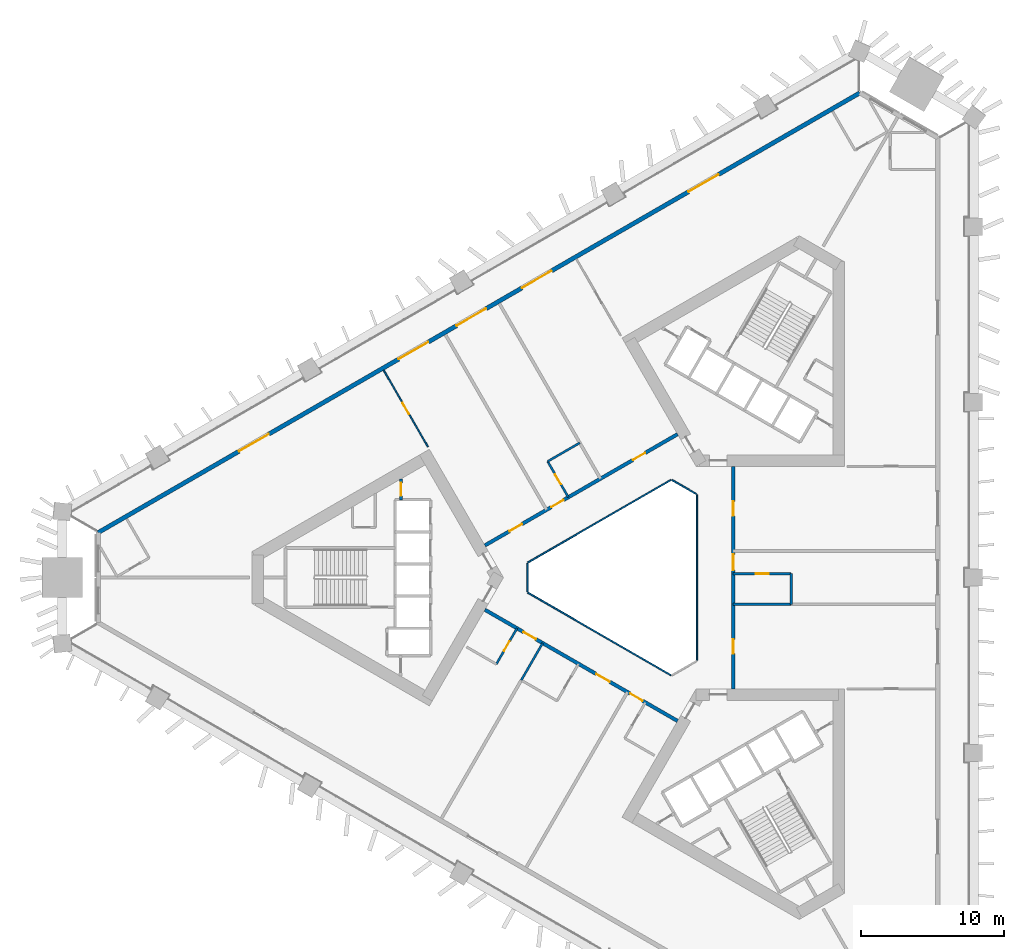
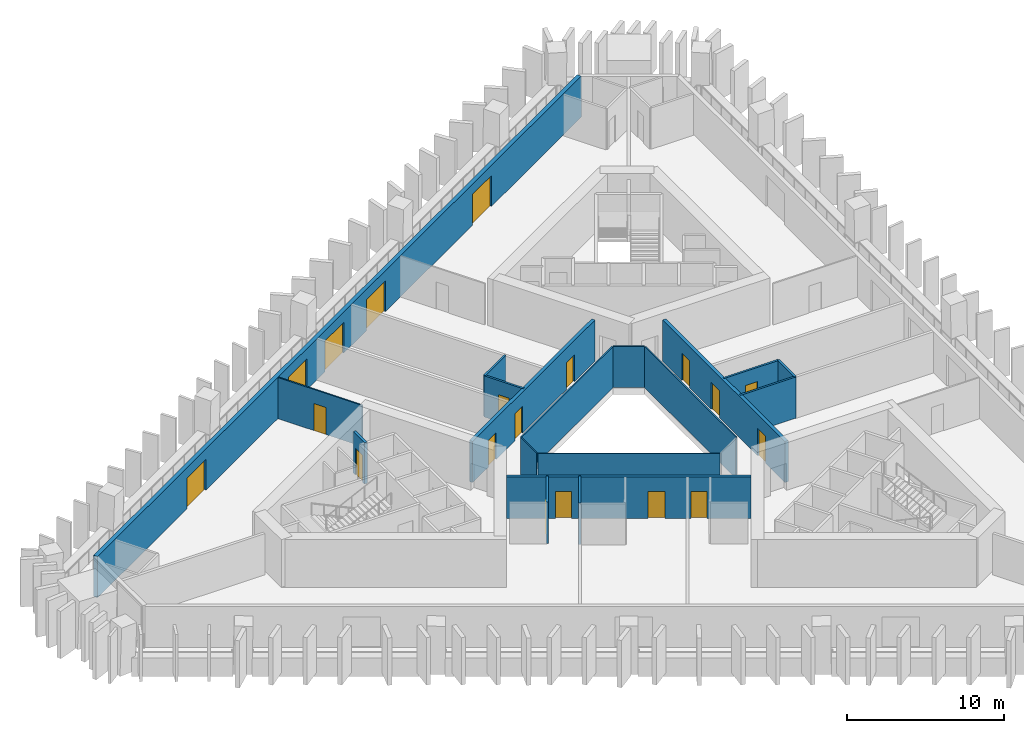
# One storey, part 4 of 10: 19 doors, 18 walls, 19 openings.
"""IFC4 building model written with IfcOpenShell, lengths in metres."""

from ifc_helpers import new_model, si_unit, direction, frame, frame_2d, origin, place, context, subcontext, project, spatial, rectangle, extrude, material, layer, layer_set, type_object, element, fill, save


model = new_model("IFC4")

# Units and contexts
model_context = context("Model", 3, precision=1e-05, world=origin(), true_north=direction((0.0, 1.0)))
body_context = subcontext(model_context, "Body", "Model", "MODEL_VIEW")
ifc_project = project(units=[si_unit("LENGTHUNIT", "METRE"), si_unit("AREAUNIT", "SQUARE_METRE"), si_unit("VOLUMEUNIT", "CUBIC_METRE"), si_unit("PLANEANGLEUNIT", "RADIAN"), si_unit("MASSUNIT", "GRAM", prefix="KILO")], contexts=[model_context])

# Site, building, storey
site_placement = place(None, origin())
site = spatial("IfcSite", under=ifc_project, at=site_placement, CompositionType="ELEMENT")
building_placement = place(site_placement, origin())
building = spatial("IfcBuilding", under=site, at=building_placement, Name="Jabali Bay Hotel Tower and Convention Centre", CompositionType="ELEMENT")
storey_placement = place(building_placement, frame((0.0, 0.0, 33.699951171875)))
storey = spatial("IfcBuildingStorey", under=building, at=storey_placement, Name="L06", CompositionType="ELEMENT", Elevation=33.699951171875)

# Walls
ifc_material_1 = material(Name="Fire-resistant glazing", Category="glass")
ifc_layer_1 = layer(ifc_material_1, 0.10009765625)
ifc_layer_set_1 = layer_set([ifc_layer_1], Name="Fire-resistant glazing")
wall_type_1 = type_object("IfcWallType", Name="Atrium glazed screen 100", PredefinedType="PARTITIONING", material=ifc_layer_set_1)
wall_1_placement = place(storey_placement, frame((79.56005859375, 74.205810546875, 0.0), z_axis=(0.0, 0.0, 1.0), x_axis=(0.0, 1.0, 0.0)))
element("IfcWall", 1, at=wall_1_placement, inside=storey, type_object=wall_type_1, Name="Atrium screen 1 L06", PredefinedType="PARTITIONING", context=body_context, shape_type="SweptSolid", body=[
    extrude(rectangle(XDim=11.58837890625, YDim=0.10009765625, at=frame_2d((5.794189453125, 0.0))), origin(), (0.0, 0.0, 1.0), 3.199951171875),
])
wall_2_placement = place(storey_placement, frame((79.530029296875, 85.84619140625, 0.0), z_axis=(0.0, 0.0, 1.0), x_axis=(-0.866041268327, 0.499972520799, 0.0)))
element("IfcWall", 2, at=wall_2_placement, inside=storey, type_object=wall_type_1, Name="Atrium screen 2 L06", PredefinedType="PARTITIONING", context=body_context, shape_type="SweptSolid", body=[
    extrude(rectangle(XDim=2.0, YDim=0.10009765625, at=frame_2d((1.0, 0.0))), origin(), (0.0, 0.0, 1.0), 3.199951171875),
])
wall_3_placement = place(storey_placement, frame((77.738037109375, 86.84619140625, 0.0), z_axis=(0.0, 0.0, 1.0), x_axis=(-0.866026658274, -0.499997827154, 0.0)))
element("IfcWall", 3, at=wall_3_placement, inside=storey, type_object=wall_type_1, Name="Atrium screen 3 L06", PredefinedType="PARTITIONING", context=body_context, shape_type="SweptSolid", body=[
    extrude(rectangle(XDim=11.58837890625, YDim=0.10009765625, at=frame_2d((5.794189453125, 0.0))), origin(), (0.0, 0.0, 1.0), 3.199951171875),
])
wall_4_placement = place(storey_placement, frame((67.672119140625, 81.0, 0.0), z_axis=(0.0, 0.0, 1.0), x_axis=(0.0, -1.0, 0.0)))
element("IfcWall", 4, at=wall_4_placement, inside=storey, type_object=wall_type_1, Name="Atrium screen 4 L06", PredefinedType="PARTITIONING", context=body_context, shape_type="SweptSolid", body=[
    extrude(rectangle(XDim=2.0, YDim=0.10009765625, at=frame_2d((1.0, 0.0))), origin(), (0.0, 0.0, 1.0), 3.199951171875),
])
wall_5_placement = place(storey_placement, frame((67.7021484375, 78.947998046875, 0.0), z_axis=(0.0, 0.0, 1.0), x_axis=(0.866026658274, -0.499997827154, 0.0)))
element("IfcWall", 5, at=wall_5_placement, inside=storey, type_object=wall_type_1, Name="Atrium screen 5 L06", PredefinedType="PARTITIONING", context=body_context, shape_type="SweptSolid", body=[
    extrude(rectangle(XDim=11.58837890625, YDim=0.10009765625, at=frame_2d((5.794189453125, 0.0))), origin(), (0.0, 0.0, 1.0), 3.199951171875),
])

# Wall, opening, door
ifc_material_2 = material(Name="Concrete C40", Category="concrete")
ifc_layer_2 = layer(ifc_material_2, 0.199951171875)
ifc_layer_set_2 = layer_set([ifc_layer_2], Name="Concrete C40")
wall_type_2 = type_object("IfcWallType", Name="Core partition wall 200", PredefinedType="PARTITIONING", material=ifc_layer_set_2)
wall_6_placement = place(storey_placement, frame((58.820068359375, 86.916748046875, 0.0), z_axis=(0.0, 0.0, 1.0), x_axis=(0.0, -1.0, 0.0)))
wall_6 = element("IfcWall", 6, at=wall_6_placement, inside=storey, type_object=wall_type_2, Name="Core wall 0.11 L06", PredefinedType="PARTITIONING", context=body_context, shape_type="SweptSolid", body=[
    extrude(rectangle(XDim=1.466796875, YDim=0.199951171875, at=frame_2d((0.7333984375, 0.0))), origin(), (0.0, 0.0, 1.0), 3.199951171875),
])
opening_1_placement = place(wall_6_placement, frame((0.283447265625, 0.0, 0.0)))
opening_1 = element("IfcOpeningElement", 7, at=opening_1_placement, cuts=wall_6, Name="Opening D219", PredefinedType="OPENING", context=body_context, shape_type="SweptSolid", body=[
    extrude(rectangle(XDim=0.89990234375, YDim=2.10009765625, at=frame_2d((0.449951171875, 1.050048828125))), frame((0.0, 0.1103515625, 0.0), z_axis=(0.0, -1.0, 0.0), x_axis=(1.0, 0.0, 0.0)), (0.0, 0.0, 1.0), 0.220947265625),
])
ifc_material_3 = material(Name="Fire-rated steel door", Category="steel")
door_type_1 = type_object("IfcDoorType", Name="Vestibule fire door 900 x 2100", OperationType="NOTDEFINED", PredefinedType="NOTDEFINED", material=ifc_material_3)
door_1_placement = place(opening_1_placement, origin())
door_1 = element("IfcDoor", 8, at=door_1_placement, inside=storey, type_object=door_type_1, Name="Vestibule fire door D219", OperationType="SINGLE_SWING_LEFT", OverallHeight=2.10009765625, OverallWidth=0.89990234375, PredefinedType="NOTDEFINED", context=body_context, shape_type="SweptSolid", body=[
    extrude(rectangle(XDim=0.89990234375, YDim=2.10009765625, at=frame_2d((0.449951171875, 1.050048828125))), frame((0.0, 0.02490234375, 0.0), z_axis=(0.0, -1.0, 0.0), x_axis=(1.0, 0.0, 0.0)), (0.0, 0.0, 1.0), 0.050048828125),
])
fill(opening_1, door_1)

# Wall, openings, doors
ifc_material_4 = material(Name="Concrete C60", Category="concrete")
ifc_layer_3 = layer(ifc_material_4, 0.25)
ifc_layer_set_3 = layer_set([ifc_layer_3], Name="Concrete C60")
wall_type_3 = type_object("IfcWallType", Name="Corridor wall 250", PredefinedType="SHEAR", material=ifc_layer_set_3)
wall_7_placement = place(storey_placement, frame((82.10009765625, 72.205810546875, 0.0), z_axis=(0.0, 0.0, 1.0), x_axis=(0.0, 1.0, 0.0)))
wall_7 = element("IfcWall", 9, at=wall_7_placement, inside=storey, type_object=wall_type_3, Name="Corridor wall 1 L06", PredefinedType="SHEAR", context=body_context, shape_type="SweptSolid", body=[
    extrude(rectangle(XDim=15.58837890625, YDim=0.25, at=frame_2d((7.794189453125, 0.0))), origin(), (0.0, 0.0, 1.0), 3.199951171875),
])
opening_2_placement = place(wall_7_placement, frame((2.4619140625, 0.0, 0.0)))
opening_2 = element("IfcOpeningElement", 10, at=opening_2_placement, cuts=wall_7, Name="Opening 0601", PredefinedType="OPENING", context=body_context, shape_type="SweptSolid", body=[
    extrude(rectangle(XDim=1.0, YDim=2.10009765625, at=frame_2d((0.5, 1.050048828125))), frame((0.0, 0.135498046875, 0.0), z_axis=(0.0, -1.0, 0.0), x_axis=(1.0, 0.0, 0.0)), (0.0, 0.0, 1.0), 0.27099609375),
])
opening_3_placement = place(wall_7_placement, frame((8.314697265625, 0.0, 0.0)))
opening_3 = element("IfcOpeningElement", 11, at=opening_3_placement, cuts=wall_7, Name="Opening 0605", PredefinedType="OPENING", context=body_context, shape_type="SweptSolid", body=[
    extrude(rectangle(XDim=1.10009765625, YDim=2.10009765625, at=frame_2d((0.550048828125, 1.050048828125))), frame((0.0, 0.135498046875, 0.0), z_axis=(0.0, -1.0, 0.0), x_axis=(1.0, 0.0, 0.0)), (0.0, 0.0, 1.0), 0.27099609375),
])
opening_4_placement = place(wall_7_placement, frame((12.126708984375, 0.0, 0.0)))
opening_4 = element("IfcOpeningElement", 12, at=opening_4_placement, cuts=wall_7, Name="Opening 0606", PredefinedType="OPENING", context=body_context, shape_type="SweptSolid", body=[
    extrude(rectangle(XDim=1.0, YDim=2.10009765625, at=frame_2d((0.5, 1.050048828125))), frame((0.0, 0.135498046875, 0.0), z_axis=(0.0, -1.0, 0.0), x_axis=(1.0, 0.0, 0.0)), (0.0, 0.0, 1.0), 0.27099609375),
])
ifc_material_5 = material(Name="Timber", Category="wood")
door_type_2 = type_object("IfcDoorType", Name="Accessible guest room door 1100 x 2100", OperationType="NOTDEFINED", PredefinedType="NOTDEFINED", material=ifc_material_5)
door_2_placement = place(opening_3_placement, origin())
door_2 = element("IfcDoor", 13, at=door_2_placement, inside=storey, type_object=door_type_2, Name="Door 0605", OperationType="SINGLE_SWING_RIGHT", OverallHeight=2.10009765625, OverallWidth=1.10009765625, PredefinedType="NOTDEFINED", context=body_context, shape_type="SweptSolid", body=[
    extrude(rectangle(XDim=1.10009765625, YDim=2.10009765625, at=frame_2d((0.550048828125, 1.050048828125))), frame((0.0, 0.02490234375, 0.0), z_axis=(0.0, -1.0, 0.0), x_axis=(1.0, 0.0, 0.0)), (0.0, 0.0, 1.0), 0.050048828125),
])
fill(opening_3, door_2)
door_type_3 = type_object("IfcDoorType", Name="Guest room door 1000 x 2100", OperationType="NOTDEFINED", PredefinedType="NOTDEFINED", material=ifc_material_5)
door_3_placement = place(opening_2_placement, origin())
door_3 = element("IfcDoor", 14, at=door_3_placement, inside=storey, type_object=door_type_3, Name="Door 0601", OperationType="SINGLE_SWING_LEFT", OverallHeight=2.10009765625, OverallWidth=1.0, PredefinedType="NOTDEFINED", context=body_context, shape_type="SweptSolid", body=[
    extrude(rectangle(XDim=1.0, YDim=2.10009765625, at=frame_2d((0.5, 1.050048828125))), frame((0.0, 0.02490234375, 0.0), z_axis=(0.0, -1.0, 0.0), x_axis=(1.0, 0.0, 0.0)), (0.0, 0.0, 1.0), 0.050048828125),
])
fill(opening_2, door_3)
door_4_placement = place(opening_4_placement, origin())
door_4 = element("IfcDoor", 15, at=door_4_placement, inside=storey, type_object=door_type_3, Name="Door 0606", OperationType="SINGLE_SWING_RIGHT", OverallHeight=2.10009765625, OverallWidth=1.0, PredefinedType="NOTDEFINED", context=body_context, shape_type="SweptSolid", body=[
    extrude(rectangle(XDim=1.0, YDim=2.10009765625, at=frame_2d((0.5, 1.050048828125))), frame((0.0, 0.02490234375, 0.0), z_axis=(0.0, -1.0, 0.0), x_axis=(1.0, 0.0, 0.0)), (0.0, 0.0, 1.0), 0.050048828125),
])
fill(opening_4, door_4)

wall_8_placement = place(storey_placement, frame((78.199951171875, 90.0458984375, 0.0), z_axis=(0.0, 0.0, 1.0), x_axis=(-0.866026492143, -0.499998114903, 0.0)))
wall_8 = element("IfcWall", 16, at=wall_8_placement, inside=storey, type_object=wall_type_3, Name="Corridor wall 2 L06", PredefinedType="SHEAR", context=body_context, shape_type="SweptSolid", body=[
    extrude(rectangle(XDim=15.58837890625, YDim=0.25, at=frame_2d((7.794189453125, 0.0))), origin(), (0.0, 0.0, 1.0), 3.199951171875),
])
opening_5_placement = place(wall_8_placement, frame((2.61767578125, 0.0, 0.0)))
opening_5 = element("IfcOpeningElement", 17, at=opening_5_placement, cuts=wall_8, Name="Opening 0609", PredefinedType="OPENING", context=body_context, shape_type="SweptSolid", body=[
    extrude(rectangle(XDim=1.0, YDim=2.10009765625, at=frame_2d((0.5, 1.050048828125))), frame((0.0, 0.135498046875, 0.0), z_axis=(0.0, -1.0, 0.0), x_axis=(1.0, 0.0, 0.0)), (0.0, 0.0, 1.0), 0.27099609375),
])
opening_6_placement = place(wall_8_placement, frame((9.2177734375, 0.0, 0.0)))
opening_6 = element("IfcOpeningElement", 18, at=opening_6_placement, cuts=wall_8, Name="Opening 0613", PredefinedType="OPENING", context=body_context, shape_type="SweptSolid", body=[
    extrude(rectangle(XDim=1.0, YDim=2.10009765625, at=frame_2d((0.5, 1.050048828125))), frame((0.0, 0.135498046875, 0.0), z_axis=(0.0, -1.0, 0.0), x_axis=(1.0, 0.0, 0.0)), (0.0, 0.0, 1.0), 0.27099609375),
])
opening_7_placement = place(wall_8_placement, frame((12.59423828125, 0.0, 0.0)))
opening_7 = element("IfcOpeningElement", 19, at=opening_7_placement, cuts=wall_8, Name="Opening 0614", PredefinedType="OPENING", context=body_context, shape_type="SweptSolid", body=[
    extrude(rectangle(XDim=1.0, YDim=2.10009765625, at=frame_2d((0.5, 1.050048828125))), frame((0.0, 0.135498046875, 0.0), z_axis=(0.0, -1.0, 0.0), x_axis=(1.0, 0.0, 0.0)), (0.0, 0.0, 1.0), 0.27099609375),
])
door_5_placement = place(opening_5_placement, origin())
door_5 = element("IfcDoor", 20, at=door_5_placement, inside=storey, type_object=door_type_3, Name="Door 0609", OperationType="SINGLE_SWING_LEFT", OverallHeight=2.10009765625, OverallWidth=1.0, PredefinedType="NOTDEFINED", context=body_context, shape_type="SweptSolid", body=[
    extrude(rectangle(XDim=1.0, YDim=2.10009765625, at=frame_2d((0.5, 1.050048828125))), frame((0.0, 0.02490234375, 0.0), z_axis=(0.0, -1.0, 0.0), x_axis=(1.0, 0.0, 0.0)), (0.0, 0.0, 1.0), 0.050048828125),
])
fill(opening_5, door_5)
door_6_placement = place(opening_6_placement, origin())
door_6 = element("IfcDoor", 21, at=door_6_placement, inside=storey, type_object=door_type_3, Name="Door 0613", OperationType="SINGLE_SWING_RIGHT", OverallHeight=2.10009765625, OverallWidth=1.0, PredefinedType="NOTDEFINED", context=body_context, shape_type="SweptSolid", body=[
    extrude(rectangle(XDim=1.0, YDim=2.10009765625, at=frame_2d((0.5, 1.050048828125))), frame((0.0, 0.02490234375, 0.0), z_axis=(0.0, -1.0, 0.0), x_axis=(1.0, 0.0, 0.0)), (0.0, 0.0, 1.0), 0.050048828125),
])
fill(opening_6, door_6)
door_7_placement = place(opening_7_placement, origin())
door_7 = element("IfcDoor", 22, at=door_7_placement, inside=storey, type_object=door_type_3, Name="Door 0614", OperationType="SINGLE_SWING_RIGHT", OverallHeight=2.10009765625, OverallWidth=1.0, PredefinedType="NOTDEFINED", context=body_context, shape_type="SweptSolid", body=[
    extrude(rectangle(XDim=1.0, YDim=2.10009765625, at=frame_2d((0.5, 1.050048828125))), frame((0.0, 0.02490234375, 0.0), z_axis=(0.0, -1.0, 0.0), x_axis=(1.0, 0.0, 0.0)), (0.0, 0.0, 1.0), 0.050048828125),
])
fill(opening_7, door_7)

wall_9_placement = place(storey_placement, frame((64.699951171875, 77.748291015625, 0.0), z_axis=(0.0, 0.0, 1.0), x_axis=(0.866026492143, -0.499998114903, 0.0)))
wall_9 = element("IfcWall", 23, at=wall_9_placement, inside=storey, type_object=wall_type_3, Name="Corridor wall 3 L06", PredefinedType="SHEAR", context=body_context, shape_type="SweptSolid", body=[
    extrude(rectangle(XDim=15.58837890625, YDim=0.25, at=frame_2d((7.794189453125, 0.0))), origin(), (0.0, 0.0, 1.0), 3.199951171875),
])
opening_8_placement = place(wall_9_placement, frame((3.13818359375, 0.0, 0.0)))
opening_8 = element("IfcOpeningElement", 24, at=opening_8_placement, cuts=wall_9, Name="Opening 0618", PredefinedType="OPENING", context=body_context, shape_type="SweptSolid", body=[
    extrude(rectangle(XDim=1.0, YDim=2.10009765625, at=frame_2d((0.5, 1.050048828125))), frame((0.0, 0.135498046875, 0.0), z_axis=(0.0, -1.0, 0.0), x_axis=(1.0, 0.0, 0.0)), (0.0, 0.0, 1.0), 0.27099609375),
])
opening_9_placement = place(wall_9_placement, frame((9.006103515625, 0.0, 0.0)))
opening_9 = element("IfcOpeningElement", 25, at=opening_9_placement, cuts=wall_9, Name="Opening 0620", PredefinedType="OPENING", context=body_context, shape_type="SweptSolid", body=[
    extrude(rectangle(XDim=1.10009765625, YDim=2.10009765625, at=frame_2d((0.550048828125, 1.050048828125))), frame((0.0, 0.135498046875, 0.0), z_axis=(0.0, -1.0, 0.0), x_axis=(1.0, 0.0, 0.0)), (0.0, 0.0, 1.0), 0.27099609375),
])
opening_10_placement = place(wall_9_placement, frame((11.761962890625, 0.0, 0.0)))
opening_10 = element("IfcOpeningElement", 26, at=opening_10_placement, cuts=wall_9, Name="Opening 0622", PredefinedType="OPENING", context=body_context, shape_type="SweptSolid", body=[
    extrude(rectangle(XDim=1.0, YDim=2.10009765625, at=frame_2d((0.5, 1.050048828125))), frame((0.0, 0.135498046875, 0.0), z_axis=(0.0, -1.0, 0.0), x_axis=(1.0, 0.0, 0.0)), (0.0, 0.0, 1.0), 0.27099609375),
])
door_8_placement = place(opening_9_placement, origin())
door_8 = element("IfcDoor", 27, at=door_8_placement, inside=storey, type_object=door_type_2, Name="Door 0620", OperationType="SINGLE_SWING_RIGHT", OverallHeight=2.10009765625, OverallWidth=1.10009765625, PredefinedType="NOTDEFINED", context=body_context, shape_type="SweptSolid", body=[
    extrude(rectangle(XDim=1.10009765625, YDim=2.10009765625, at=frame_2d((0.550048828125, 1.050048828125))), frame((0.0, 0.02490234375, 0.0), z_axis=(0.0, -1.0, 0.0), x_axis=(1.0, 0.0, 0.0)), (0.0, 0.0, 1.0), 0.050048828125),
])
fill(opening_9, door_8)
door_9_placement = place(opening_8_placement, origin())
door_9 = element("IfcDoor", 28, at=door_9_placement, inside=storey, type_object=door_type_3, Name="Door 0618", OperationType="SINGLE_SWING_LEFT", OverallHeight=2.10009765625, OverallWidth=1.0, PredefinedType="NOTDEFINED", context=body_context, shape_type="SweptSolid", body=[
    extrude(rectangle(XDim=1.0, YDim=2.10009765625, at=frame_2d((0.5, 1.050048828125))), frame((0.0, 0.02490234375, 0.0), z_axis=(0.0, -1.0, 0.0), x_axis=(1.0, 0.0, 0.0)), (0.0, 0.0, 1.0), 0.050048828125),
])
fill(opening_8, door_9)
door_10_placement = place(opening_10_placement, origin())
door_10 = element("IfcDoor", 29, at=door_10_placement, inside=storey, type_object=door_type_3, Name="Door 0622", OperationType="SINGLE_SWING_RIGHT", OverallHeight=2.10009765625, OverallWidth=1.0, PredefinedType="NOTDEFINED", context=body_context, shape_type="SweptSolid", body=[
    extrude(rectangle(XDim=1.0, YDim=2.10009765625, at=frame_2d((0.5, 1.050048828125))), frame((0.0, 0.02490234375, 0.0), z_axis=(0.0, -1.0, 0.0), x_axis=(1.0, 0.0, 0.0)), (0.0, 0.0, 1.0), 0.050048828125),
])
fill(opening_10, door_10)

ifc_layer_4 = layer(ifc_material_2, 0.300048828125)
ifc_layer_set_4 = layer_set([ifc_layer_4], Name="Concrete C40")
wall_type_4 = type_object("IfcWallType", Name="External wall 300", PredefinedType="SOLIDWALL", material=ifc_layer_set_4)
wall_10_placement = place(storey_placement, frame((37.609619140625, 83.15234375, 0.0), z_axis=(0.0, 0.0, 1.0), x_axis=(0.866024438126, 0.500001672566, 0.0)))
wall_10 = element("IfcWall", 30, at=wall_10_placement, inside=storey, type_object=wall_type_4, Name="External wall north-west face L06", PredefinedType="SOLIDWALL", context=body_context, shape_type="SweptSolid", body=[
    extrude(rectangle(XDim=61.609619140625, YDim=0.300048828125, at=frame_2d((30.8046875, 0.0))), origin(), (0.0, 0.0, 1.0), 3.199951171875),
])
opening_11_placement = place(wall_10_placement, frame((34.281494140625, 0.0, 0.0)))
opening_11 = element("IfcOpeningElement", 31, at=opening_11_placement, cuts=wall_10, Name="Opening SD1", PredefinedType="OPENING", context=body_context, shape_type="SweptSolid", body=[
    extrude(rectangle(XDim=2.39990234375, YDim=2.39990234375, at=frame_2d((1.199951171875, 1.199951171875))), frame((0.0, 0.16064453125, 0.0), z_axis=(0.0, -1.0, 0.0), x_axis=(1.0, 0.0, 0.0)), (0.0, 0.0, 1.0), 0.321044921875),
])
opening_12_placement = place(wall_10_placement, frame((47.7666015625, 0.0, 0.0)))
opening_12 = element("IfcOpeningElement", 32, at=opening_12_placement, cuts=wall_10, Name="Opening SD1", PredefinedType="OPENING", context=body_context, shape_type="SweptSolid", body=[
    extrude(rectangle(XDim=2.39990234375, YDim=2.39990234375, at=frame_2d((1.199951171875, 1.199951171875))), frame((0.0, 0.16064453125, 0.0), z_axis=(0.0, -1.0, 0.0), x_axis=(1.0, 0.0, 0.0)), (0.0, 0.0, 1.0), 0.321044921875),
])
opening_13_placement = place(wall_10_placement, frame((24.3046875, 0.0, 0.0)))
opening_13 = element("IfcOpeningElement", 33, at=opening_13_placement, cuts=wall_10, Name="Opening SD1", PredefinedType="OPENING", context=body_context, shape_type="SweptSolid", body=[
    extrude(rectangle(XDim=2.39990234375, YDim=2.39990234375, at=frame_2d((1.199951171875, 1.199951171875))), frame((0.0, 0.16064453125, 0.0), z_axis=(0.0, -1.0, 0.0), x_axis=(1.0, 0.0, 0.0)), (0.0, 0.0, 1.0), 0.321044921875),
])
opening_14_placement = place(wall_10_placement, frame((11.401611328125, 0.0, 0.0)))
opening_14 = element("IfcOpeningElement", 34, at=opening_14_placement, cuts=wall_10, Name="Opening SD1", PredefinedType="OPENING", context=body_context, shape_type="SweptSolid", body=[
    extrude(rectangle(XDim=2.39990234375, YDim=2.39990234375, at=frame_2d((1.199951171875, 1.199951171875))), frame((0.0, 0.16064453125, 0.0), z_axis=(0.0, -1.0, 0.0), x_axis=(1.0, 0.0, 0.0)), (0.0, 0.0, 1.0), 0.321044921875),
])
opening_15_placement = place(wall_10_placement, frame((28.9814453125, 0.0, 0.0)))
opening_15 = element("IfcOpeningElement", 35, at=opening_15_placement, cuts=wall_10, Name="Opening SD1", PredefinedType="OPENING", context=body_context, shape_type="SweptSolid", body=[
    extrude(rectangle(XDim=2.39990234375, YDim=2.39990234375, at=frame_2d((1.199951171875, 1.199951171875))), frame((0.0, 0.16064453125, 0.0), z_axis=(0.0, -1.0, 0.0), x_axis=(1.0, 0.0, 0.0)), (0.0, 0.0, 1.0), 0.321044921875),
])
ifc_material_6 = material(Name="Glass", Category="glass")
door_type_4 = type_object("IfcDoorType", Name="Loggia sliding door 2400 x 2400", OperationType="NOTDEFINED", PredefinedType="NOTDEFINED", material=ifc_material_6)
door_11_placement = place(opening_11_placement, origin())
door_11 = element("IfcDoor", 36, at=door_11_placement, inside=storey, type_object=door_type_4, Name="Loggia sliding door 604", OperationType="SLIDING_TO_LEFT", OverallHeight=2.39990234375, OverallWidth=2.39990234375, PredefinedType="NOTDEFINED", context=body_context, shape_type="SweptSolid", body=[
    extrude(rectangle(XDim=2.39990234375, YDim=2.39990234375, at=frame_2d((1.199951171875, 1.199951171875))), frame((0.0, 0.02490234375, 0.0), z_axis=(0.0, -1.0, 0.0), x_axis=(1.0, 0.0, 0.0)), (0.0, 0.0, 1.0), 0.050048828125),
])
fill(opening_11, door_11)
door_12_placement = place(opening_12_placement, origin())
door_12 = element("IfcDoor", 37, at=door_12_placement, inside=storey, type_object=door_type_4, Name="Loggia sliding door 604", OperationType="SLIDING_TO_RIGHT", OverallHeight=2.39990234375, OverallWidth=2.39990234375, PredefinedType="NOTDEFINED", context=body_context, shape_type="SweptSolid", body=[
    extrude(rectangle(XDim=2.39990234375, YDim=2.39990234375, at=frame_2d((1.199951171875, 1.199951171875))), frame((0.0, 0.02490234375, 0.0), z_axis=(0.0, -1.0, 0.0), x_axis=(1.0, 0.0, 0.0)), (0.0, 0.0, 1.0), 0.050048828125),
])
fill(opening_12, door_12)
door_13_placement = place(opening_13_placement, origin())
door_13 = element("IfcDoor", 38, at=door_13_placement, inside=storey, type_object=door_type_4, Name="Loggia sliding door 606", OperationType="SLIDING_TO_LEFT", OverallHeight=2.39990234375, OverallWidth=2.39990234375, PredefinedType="NOTDEFINED", context=body_context, shape_type="SweptSolid", body=[
    extrude(rectangle(XDim=2.39990234375, YDim=2.39990234375, at=frame_2d((1.199951171875, 1.199951171875))), frame((0.0, 0.02490234375, 0.0), z_axis=(0.0, -1.0, 0.0), x_axis=(1.0, 0.0, 0.0)), (0.0, 0.0, 1.0), 0.050048828125),
])
fill(opening_13, door_13)
door_14_placement = place(opening_14_placement, origin())
door_14 = element("IfcDoor", 39, at=door_14_placement, inside=storey, type_object=door_type_4, Name="Loggia sliding door 606", OperationType="SLIDING_TO_RIGHT", OverallHeight=2.39990234375, OverallWidth=2.39990234375, PredefinedType="NOTDEFINED", context=body_context, shape_type="SweptSolid", body=[
    extrude(rectangle(XDim=2.39990234375, YDim=2.39990234375, at=frame_2d((1.199951171875, 1.199951171875))), frame((0.0, 0.02490234375, 0.0), z_axis=(0.0, -1.0, 0.0), x_axis=(1.0, 0.0, 0.0)), (0.0, 0.0, 1.0), 0.050048828125),
])
fill(opening_14, door_14)
door_15_placement = place(opening_15_placement, origin())
door_15 = element("IfcDoor", 40, at=door_15_placement, inside=storey, type_object=door_type_4, Name="Loggia sliding door 605", OperationType="SLIDING_TO_LEFT", OverallHeight=2.39990234375, OverallWidth=2.39990234375, PredefinedType="NOTDEFINED", context=body_context, shape_type="SweptSolid", body=[
    extrude(rectangle(XDim=2.39990234375, YDim=2.39990234375, at=frame_2d((1.199951171875, 1.199951171875))), frame((0.0, 0.02490234375, 0.0), z_axis=(0.0, -1.0, 0.0), x_axis=(1.0, 0.0, 0.0)), (0.0, 0.0, 1.0), 0.050048828125),
])
fill(opening_15, door_15)

# Wall, opening, door
ifc_material_7 = material(Name="Plasterboard on steel stud", Category="steel")
ifc_layer_5 = layer(ifc_material_7, 0.10009765625)
ifc_layer_set_5 = layer_set([ifc_layer_5], Name="Plasterboard on steel stud")
wall_type_5 = type_object("IfcWallType", Name="Partition 100 unit", PredefinedType="PARTITIONING", material=ifc_layer_set_5)
wall_11_placement = place(storey_placement, frame((57.61181640625, 94.52880859375, 0.0), z_axis=(0.0, 0.0, 1.0), x_axis=(0.499986163319, -0.866033392248, 0.0)))
wall_11 = element("IfcWall", 41, at=wall_11_placement, inside=storey, type_object=wall_type_5, Name="Partition P02 L06 024", PredefinedType="PARTITIONING", context=body_context, shape_type="SweptSolid", body=[
    extrude(rectangle(XDim=6.197509765625, YDim=0.10009765625, at=frame_2d((3.0986328125, 0.0))), origin(), (0.0, 0.0, 1.0), 3.199951171875),
])
opening_16_placement = place(wall_11_placement, frame((2.64892578125, 0.0, 0.0)))
opening_16 = element("IfcOpeningElement", 42, at=opening_16_placement, cuts=wall_11, Name="Opening 0615", PredefinedType="OPENING", context=body_context, shape_type="SweptSolid", body=[
    extrude(rectangle(XDim=0.89990234375, YDim=2.10009765625, at=frame_2d((0.449951171875, 1.050048828125))), frame((0.0, 0.060546875, 0.0), z_axis=(0.0, -1.0, 0.0), x_axis=(1.0, 0.0, 0.0)), (0.0, 0.0, 1.0), 0.12109375),
])
door_type_5 = type_object("IfcDoorType", Name="Internal door 900 x 2100", OperationType="NOTDEFINED", PredefinedType="NOTDEFINED", material=ifc_material_5)
door_16_placement = place(opening_16_placement, origin())
door_16 = element("IfcDoor", 43, at=door_16_placement, inside=storey, type_object=door_type_5, Name="Door 0615", OperationType="SINGLE_SWING_RIGHT", OverallHeight=2.10009765625, OverallWidth=0.89990234375, PredefinedType="NOTDEFINED", context=body_context, shape_type="SweptSolid", body=[
    extrude(rectangle(XDim=0.89990234375, YDim=2.10009765625, at=frame_2d((0.449951171875, 1.050048828125))), frame((0.0, 0.02490234375, 0.0), z_axis=(0.0, -1.0, 0.0), x_axis=(1.0, 0.0, 0.0)), (0.0, 0.0, 1.0), 0.050048828125),
])
fill(opening_16, door_16)

# Wall
ifc_layer_6 = layer(ifc_material_7, 0.14990234375)
ifc_layer_set_6 = layer_set([ifc_layer_6], Name="Plasterboard on steel stud")
wall_type_6 = type_object("IfcWallType", Name="Partition 150 wet", PredefinedType="PARTITIONING", material=ifc_layer_set_6)
wall_12_placement = place(storey_placement, frame((86.1630859375, 78.12939453125, 0.0), z_axis=(0.0, 0.0, 1.0), x_axis=(-1.0, 0.0, 0.0)))
element("IfcWall", 44, at=wall_12_placement, inside=storey, type_object=wall_type_6, Name="Partition P03 L06 003", PredefinedType="PARTITIONING", context=body_context, shape_type="SweptSolid", body=[
    extrude(rectangle(XDim=4.06298828125, YDim=0.14990234375, at=frame_2d((2.031494140625, 0.0))), origin(), (0.0, 0.0, 1.0), 3.199951171875),
])

# Wall, opening, door
wall_13_placement = place(storey_placement, frame((82.10009765625, 80.2705078125, 0.0), z_axis=(0.0, 0.0, 1.0), x_axis=(1.0, 0.0, 0.0)))
wall_13 = element("IfcWall", 45, at=wall_13_placement, inside=storey, type_object=wall_type_6, Name="Partition P03 L06 008", PredefinedType="PARTITIONING", context=body_context, shape_type="SweptSolid", body=[
    extrude(rectangle(XDim=4.06298828125, YDim=0.14990234375, at=frame_2d((2.031494140625, 0.0))), origin(), (0.0, 0.0, 1.0), 3.199951171875),
])
opening_17_placement = place(wall_13_placement, frame((1.58203125, 0.0, 0.0)))
opening_17 = element("IfcOpeningElement", 46, at=opening_17_placement, cuts=wall_13, Name="Opening 0604", PredefinedType="OPENING", context=body_context, shape_type="SweptSolid", body=[
    extrude(rectangle(XDim=0.89990234375, YDim=2.10009765625, at=frame_2d((0.449951171875, 1.050048828125))), frame((0.0, 0.08544921875, 0.0), z_axis=(0.0, -1.0, 0.0), x_axis=(1.0, 0.0, 0.0)), (0.0, 0.0, 1.0), 0.1708984375),
])
door_type_6 = type_object("IfcDoorType", Name="Accessible en-suite door 900 x 2100", OperationType="NOTDEFINED", PredefinedType="NOTDEFINED", material=ifc_material_5)
door_17_placement = place(opening_17_placement, origin())
door_17 = element("IfcDoor", 47, at=door_17_placement, inside=storey, type_object=door_type_6, Name="Door 0604", OperationType="SINGLE_SWING_RIGHT", OverallHeight=2.10009765625, OverallWidth=0.89990234375, PredefinedType="NOTDEFINED", context=body_context, shape_type="SweptSolid", body=[
    extrude(rectangle(XDim=0.89990234375, YDim=2.10009765625, at=frame_2d((0.449951171875, 1.050048828125))), frame((0.0, 0.02490234375, 0.0), z_axis=(0.0, -1.0, 0.0), x_axis=(1.0, 0.0, 0.0)), (0.0, 0.0, 1.0), 0.050048828125),
])
fill(opening_17, door_17)

# Wall
wall_14_placement = place(storey_placement, frame((86.1630859375, 80.2705078125, 0.0), z_axis=(0.0, 0.0, 1.0), x_axis=(0.0, -1.0, 0.0)))
element("IfcWall", 48, at=wall_14_placement, inside=storey, type_object=wall_type_6, Name="Partition P03 L06 009", PredefinedType="PARTITIONING", context=body_context, shape_type="SweptSolid", body=[
    extrude(rectangle(XDim=2.14111328125, YDim=0.14990234375, at=frame_2d((1.070556640625, 0.0))), origin(), (0.0, 0.0, 1.0), 3.199951171875),
])

# Wall, opening, door
wall_15_placement = place(storey_placement, frame((70.54833984375, 85.628173828125, 0.0), z_axis=(0.0, 0.0, 1.0), x_axis=(-0.499987231761, 0.866032775405, 0.0)))
wall_15 = element("IfcWall", 49, at=wall_15_placement, inside=storey, type_object=wall_type_6, Name="Partition P03 L06 021", PredefinedType="PARTITIONING", context=body_context, shape_type="SweptSolid", body=[
    extrude(rectangle(XDim=2.89990234375, YDim=0.14990234375, at=frame_2d((1.449951171875, 0.0))), origin(), (0.0, 0.0, 1.0), 3.199951171875),
])
opening_18_placement = place(wall_15_placement, frame((1.050048828125, 0.0, 0.0)))
opening_18 = element("IfcOpeningElement", 50, at=opening_18_placement, cuts=wall_15, Name="Opening 0612", PredefinedType="OPENING", context=body_context, shape_type="SweptSolid", body=[
    extrude(rectangle(XDim=0.800048828125, YDim=2.10009765625, at=frame_2d((0.39990234375, 1.050048828125))), frame((0.0, 0.08544921875, 0.0), z_axis=(0.0, -1.0, 0.0), x_axis=(1.0, 0.0, 0.0)), (0.0, 0.0, 1.0), 0.1708984375),
])
door_type_7 = type_object("IfcDoorType", Name="En-suite door 800 x 2100", OperationType="NOTDEFINED", PredefinedType="NOTDEFINED", material=ifc_material_5)
door_18_placement = place(opening_18_placement, origin())
door_18 = element("IfcDoor", 51, at=door_18_placement, inside=storey, type_object=door_type_7, Name="Door 0612", OperationType="SINGLE_SWING_RIGHT", OverallHeight=2.10009765625, OverallWidth=0.800048828125, PredefinedType="NOTDEFINED", context=body_context, shape_type="SweptSolid", body=[
    extrude(rectangle(XDim=0.800048828125, YDim=2.10009765625, at=frame_2d((0.39990234375, 1.050048828125))), frame((0.0, 0.02490234375, 0.0), z_axis=(0.0, -1.0, 0.0), x_axis=(1.0, 0.0, 0.0)), (0.0, 0.0, 1.0), 0.050048828125),
])
fill(opening_18, door_18)

# Wall
wall_16_placement = place(storey_placement, frame((69.098388671875, 88.1396484375, 0.0), z_axis=(0.0, 0.0, 1.0), x_axis=(0.866021400173, 0.500006934395, 0.0)))
element("IfcWall", 52, at=wall_16_placement, inside=storey, type_object=wall_type_6, Name="Partition P03 L06 022", PredefinedType="PARTITIONING", context=body_context, shape_type="SweptSolid", body=[
    extrude(rectangle(XDim=2.60009765625, YDim=0.14990234375, at=frame_2d((1.300048828125, 0.0))), origin(), (0.0, 0.0, 1.0), 3.199951171875),
])

# Wall, opening, door
wall_17_placement = place(storey_placement, frame((66.95166015625, 76.4482421875, 0.0), z_axis=(0.0, 0.0, 1.0), x_axis=(-0.499987231761, -0.866032775405, 0.0)))
wall_17 = element("IfcWall", 53, at=wall_17_placement, inside=storey, type_object=wall_type_6, Name="Partition P03 L06 029", PredefinedType="PARTITIONING", context=body_context, shape_type="SweptSolid", body=[
    extrude(rectangle(XDim=2.89990234375, YDim=0.14990234375, at=frame_2d((1.449951171875, 0.0))), origin(), (0.0, 0.0, 1.0), 3.199951171875),
])
opening_19_placement = place(wall_17_placement, frame((1.050048828125, 0.0, 0.0)))
opening_19 = element("IfcOpeningElement", 54, at=opening_19_placement, cuts=wall_17, Name="Opening 0617", PredefinedType="OPENING", context=body_context, shape_type="SweptSolid", body=[
    extrude(rectangle(XDim=0.800048828125, YDim=2.10009765625, at=frame_2d((0.39990234375, 1.050048828125))), frame((0.0, 0.08544921875, 0.0), z_axis=(0.0, -1.0, 0.0), x_axis=(1.0, 0.0, 0.0)), (0.0, 0.0, 1.0), 0.1708984375),
])
door_19_placement = place(opening_19_placement, origin())
door_19 = element("IfcDoor", 55, at=door_19_placement, inside=storey, type_object=door_type_7, Name="Door 0617", OperationType="SINGLE_SWING_RIGHT", OverallHeight=2.10009765625, OverallWidth=0.800048828125, PredefinedType="NOTDEFINED", context=body_context, shape_type="SweptSolid", body=[
    extrude(rectangle(XDim=0.800048828125, YDim=2.10009765625, at=frame_2d((0.39990234375, 1.050048828125))), frame((0.0, 0.02490234375, 0.0), z_axis=(0.0, -1.0, 0.0), x_axis=(1.0, 0.0, 0.0)), (0.0, 0.0, 1.0), 0.050048828125),
])
fill(opening_19, door_19)

# Wall
wall_18_placement = place(storey_placement, frame((67.25, 72.81201171875, 0.0), z_axis=(0.0, 0.0, 1.0), x_axis=(0.499990139034, 0.866031096941, 0.0)))
element("IfcWall", 56, at=wall_18_placement, inside=storey, type_object=wall_type_6, Name="Partition P03 L06 032", PredefinedType="PARTITIONING", context=body_context, shape_type="SweptSolid", body=[
    extrude(rectangle(XDim=3.0, YDim=0.14990234375, at=frame_2d((1.5, 0.0))), origin(), (0.0, 0.0, 1.0), 3.199951171875),
])

save(model, "model.ifc")
